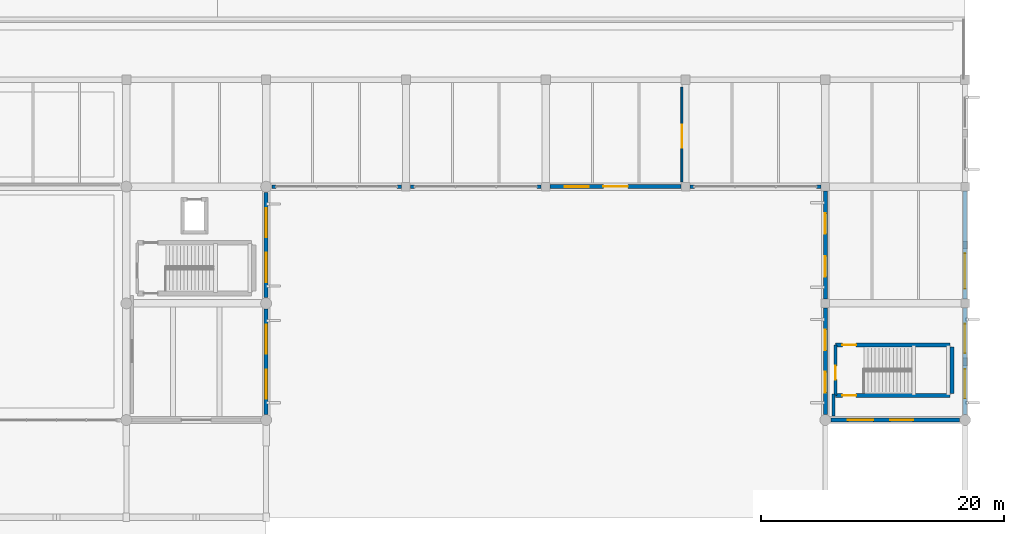
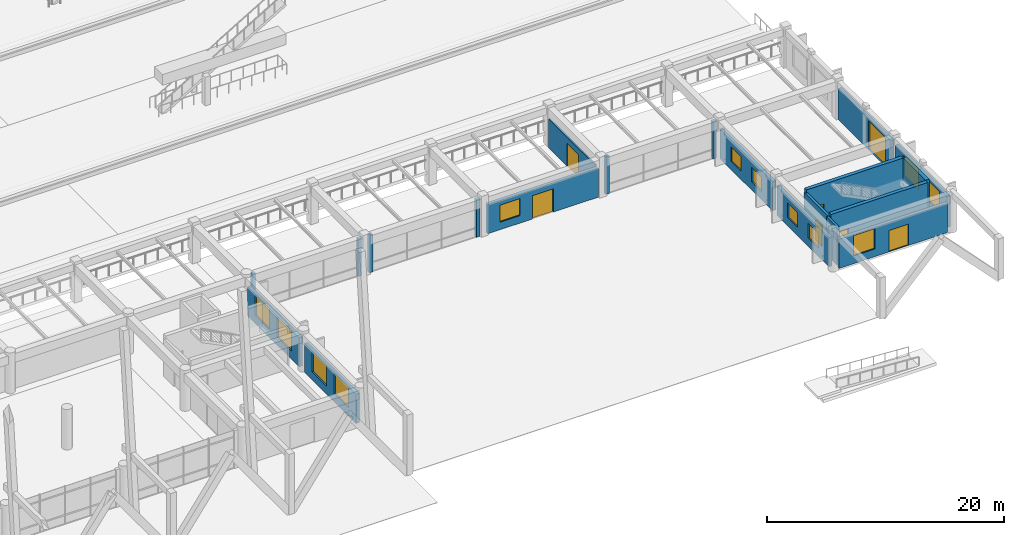
# One storey, part 88 of 109: 20 walls, 12 windows, 7 doors, 19 openings.
"""IFC4 building model written with IfcOpenShell, lengths in metres."""

import ifcopenshell
import ifcopenshell.guid

model = None  # the IFC model being written
_history = None  # IfcOwnerHistory: only IFC2X3 demands one
_inside = {}  # id of a spatial element -> (the spatial element, [elements in it])
_under = {}  # id of a project, library or spatial element -> (it, [spatial elements below it])
_declared = {}  # id of a project -> (the project, [libraries it declares])
_typed = {}  # id of a type object -> (the type object, [elements of that type])
_made_of = {}  # id of a material, layer set ... -> (it, [elements and type objects made of it])


def new_model(schema):
    """Start an empty IFC model of exactly this schema.

    Asked for "IFC4X3", IfcOpenShell would pick the latest addendum, in which some entities
    have other attributes; the version numbers below select the first issue.
    IFC2X3 requires an IfcOwnerHistory on every rooted entity: one is made here for all.
    """
    global model, _history
    if schema == "IFC4X3":
        model = ifcopenshell.file(schema_version=(4, 3, 0, 0))
    else:
        model = ifcopenshell.file(schema=schema)
    _inside.clear()
    _under.clear()
    _declared.clear()
    _typed.clear()
    _made_of.clear()
    _history = None
    if model.schema == "IFC2X3":
        org = make("IfcOrganization", Name="unknown")
        user = make(
            "IfcPersonAndOrganization",
            ThePerson=make("IfcPerson", FamilyName="unknown"),
            TheOrganization=org,
        )
        app = make(
            "IfcApplication",
            ApplicationDeveloper=org,
            Version="unknown",
            ApplicationFullName="unknown",
            ApplicationIdentifier="unknown",
        )
        _history = make(
            "IfcOwnerHistory",
            OwningUser=user,
            OwningApplication=app,
            ChangeAction="ADDED",
            CreationDate=0,
        )
    return model


def make(cls, **values):
    """One entity of the class cls with the attributes given. An attribute that is None is left unset."""
    return model.create_entity(
        cls, **{name: value for name, value in values.items() if value is not None}
    )


def rooted(cls, **values):
    """An entity with a GlobalId (a new one), such as an element, a storey or a relation."""
    return make(cls, GlobalId=ifcopenshell.guid.new(), OwnerHistory=_history, **values)


def si_unit(unit_type, name, prefix=None):
    """IfcSIUnit, for example si_unit("LENGTHUNIT", "METRE", prefix="MILLI")."""
    return make("IfcSIUnit", UnitType=unit_type, Prefix=prefix, Name=name)


def assignment(units):
    """IfcUnitAssignment: the units of a project."""
    return None if units is None else make("IfcUnitAssignment", Units=units)


def point(xyz):
    """IfcCartesianPoint."""
    return None if xyz is None else make("IfcCartesianPoint", Coordinates=xyz)


def direction(xyz):
    """IfcDirection."""
    return None if xyz is None else make("IfcDirection", DirectionRatios=xyz)


def frame(location, z_axis=None, x_axis=None):
    """IfcAxis2Placement3D, a coordinate frame: its origin and axes. An axis left out is left unset."""
    return make(
        "IfcAxis2Placement3D",
        Location=point(location),
        Axis=direction(z_axis),
        RefDirection=direction(x_axis),
    )


def frame_2d(location, x_axis=None):
    """IfcAxis2Placement2D, a coordinate frame in the plane: its origin and x axis."""
    return make(
        "IfcAxis2Placement2D", Location=point(location), RefDirection=direction(x_axis)
    )


def origin():
    """The frame at (0, 0, 0) with its axes left unset."""
    return frame((0.0, 0.0, 0.0))


def place(relative_to, where):
    """IfcLocalPlacement: puts the frame where relative to a parent placement (None: the world)."""
    return make(
        "IfcLocalPlacement", PlacementRelTo=relative_to, RelativePlacement=where
    )


def context(
    kind, dimensions, precision=None, world=None, true_north=None, identifier=None
):
    """IfcGeometricRepresentationContext, for example the 3D "Model" context."""
    return make(
        "IfcGeometricRepresentationContext",
        ContextIdentifier=identifier,
        ContextType=kind,
        CoordinateSpaceDimension=dimensions,
        Precision=precision,
        WorldCoordinateSystem=world,
        TrueNorth=true_north,
    )


def subcontext(parent, identifier, kind, view, scale=None):
    """IfcGeometricRepresentationSubContext, for example "Body" below "Model"."""
    return make(
        "IfcGeometricRepresentationSubContext",
        ContextIdentifier=identifier,
        ContextType=kind,
        ParentContext=parent,
        TargetScale=scale,
        TargetView=view,
    )


def project(units=None, contexts=None):
    """IfcProject with its units and contexts."""
    return rooted(
        "IfcProject",
        Name="project",
        RepresentationContexts=contexts,
        UnitsInContext=assignment(units),
    )


def spatial(cls, under=None, at=None, **own):
    """A site, building, storey or space (cls), placed at a placement, below another one or the project."""
    s = rooted(cls, ObjectPlacement=at, **own)
    if under is not None:
        _under.setdefault(under.id(), (under, []))[1].append(s)
    return s


def profile(cls, at=None, kind="AREA", **sizes):
    """A parametric profile (cls). Its sizes go by their IFC names, for example OverallWidth=200.0."""
    return make(cls, ProfileType=kind, Position=at, **sizes)


def rectangle(**sizes):
    """IfcRectangleProfileDef."""
    return profile("IfcRectangleProfileDef", **sizes)


def extrude(swept, where, along, depth):
    """IfcExtrudedAreaSolid: the profile swept, set in the frame where, extruded along a direction by depth."""
    return make(
        "IfcExtrudedAreaSolid",
        SweptArea=swept,
        Position=where,
        ExtrudedDirection=direction(along),
        Depth=depth,
    )


def shape(context_of_items, identifier, shape_type, items):
    """IfcShapeRepresentation: the items that make up one representation, for example the "Body"."""
    return make(
        "IfcShapeRepresentation",
        ContextOfItems=context_of_items,
        RepresentationIdentifier=identifier,
        RepresentationType=shape_type,
        Items=items,
    )


def material(Name=None, Category=None):
    """IfcMaterial."""
    return make("IfcMaterial", Name=Name, Category=Category)


def layer(
    of_material, thickness, ventilated=None, Name=None, Category=None, Priority=None
):
    """IfcMaterialLayer: one layer of a wall or slab, of a material (None: an air gap)."""
    return make(
        "IfcMaterialLayer",
        Material=of_material,
        LayerThickness=thickness,
        IsVentilated=ventilated,
        Name=Name,
        Category=Category,
        Priority=Priority,
    )


def layer_set(layers, Name=None):
    """IfcMaterialLayerSet."""
    return make("IfcMaterialLayerSet", MaterialLayers=layers, LayerSetName=Name)


def made_of(thing, what):
    """Note that an element or type object is made of a material, layer set ...; save() writes the relation."""
    if what is not None:
        _made_of.setdefault(what.id(), (what, []))[1].append(thing)
    return thing


def type_object(cls, material=None, **own):
    """A type object (cls), such as IfcWallType, which elements share."""
    return made_of(rooted(cls, **own), material)


def element(
    cls,
    number,
    at=None,
    inside=None,
    cuts=None,
    type_object=None,
    material=None,
    context=None,
    identifier="Body",
    shape_type=None,
    held_by="IfcProductDefinitionShape",
    body=None,
    shapes=None,
    **own,
):
    """One element of the class cls, such as IfcWall. Its Tag is "e" and its number.

    at: its placement. inside: the storey or other place that contains it. cuts: it is an
    opening in that element (IfcRelVoidsElement). A single representation is given by context,
    identifier, shape_type and body (its items); several are given by shapes. held_by: the class
    of the entity that holds the representations. save() writes the other relations.
    """
    e = rooted(cls, Tag="e%d" % number, ObjectPlacement=at, **own)
    if body is not None:
        shapes = [shape(context, identifier, shape_type, body)]
    if shapes is not None:
        e.Representation = make(held_by, Representations=shapes)
    if inside is not None:
        _inside.setdefault(inside.id(), (inside, []))[1].append(e)
    if cuts is not None:
        rooted(
            "IfcRelVoidsElement", RelatingBuildingElement=cuts, RelatedOpeningElement=e
        )
    if type_object is not None:
        _typed.setdefault(type_object.id(), (type_object, []))[1].append(e)
    return made_of(e, material)


def fill(opening, filler):
    """IfcRelFillsElement: the door or window that sits in an opening."""
    return rooted(
        "IfcRelFillsElement",
        RelatingOpeningElement=opening,
        RelatedBuildingElement=filler,
    )


def aggregate(whole, parts):
    """IfcRelAggregates: a whole, such as a stair, and the parts it consists of."""
    return rooted("IfcRelAggregates", RelatingObject=whole, RelatedObjects=parts)


def save(model, path):
    """Write the relations noted so far, then the file.

    IfcRelAggregates (storeys below a building ...), IfcRelContainedInSpatialStructure (elements
    in a storey), IfcRelDefinesByType, IfcRelAssociatesMaterial and IfcRelDeclares: one each for
    every whole, place, type object, material and project.
    """
    for whole, parts in _under.values():
        aggregate(whole, parts)
    for where, things in _inside.values():
        rooted(
            "IfcRelContainedInSpatialStructure",
            RelatedElements=things,
            RelatingStructure=where,
        )
    for kind, things in _typed.values():
        rooted("IfcRelDefinesByType", RelatedObjects=things, RelatingType=kind)
    for what, things in _made_of.values():
        rooted("IfcRelAssociatesMaterial", RelatedObjects=things, RelatingMaterial=what)
    for by, libraries in _declared.values():
        rooted("IfcRelDeclares", RelatingContext=by, RelatedDefinitions=libraries)
    model.write(path)


model = new_model("IFC4")

# Units and contexts
model_context = context("Model", 3, precision=1e-05, world=origin(), true_north=direction((0.0, 1.0)))
body_context = subcontext(model_context, "Body", "Model", "MODEL_VIEW")
ifc_project = project(units=[si_unit("LENGTHUNIT", "METRE"), si_unit("AREAUNIT", "SQUARE_METRE"), si_unit("VOLUMEUNIT", "CUBIC_METRE"), si_unit("PLANEANGLEUNIT", "RADIAN"), si_unit("MASSUNIT", "GRAM", prefix="KILO")], contexts=[model_context])

# Site, building, storey
site_placement = place(None, origin())
site = spatial("IfcSite", under=ifc_project, at=site_placement, CompositionType="ELEMENT")
building_placement = place(site_placement, origin())
building = spatial("IfcBuilding", under=site, at=building_placement, Name="Ologun Quay Terminus", CompositionType="ELEMENT")
storey_placement = place(building_placement, origin())
storey = spatial("IfcBuildingStorey", under=building, at=storey_placement, Name="L00", CompositionType="ELEMENT", Elevation=0.0)

# Walls
ifc_material_1 = material(Name="Concrete C40/50", Category="concrete")
ifc_layer_1 = layer(ifc_material_1, 0.280029296875)
ifc_layer_set_1 = layer_set([ifc_layer_1], Name="Concrete C40/50")
wall_type_1 = type_object("IfcWallType", Name="Courtyard Wing Spandrel Concrete Wall 280", PredefinedType="SOLIDWALL", material=ifc_layer_set_1)
wall_1_placement = place(storey_placement, frame((126.969970703125, 27.199951171875, 0.0), z_axis=(0.0, 0.0, 1.0), x_axis=(1.0, 0.0, 0.0)))
element("IfcWall", 1, at=wall_1_placement, inside=storey, type_object=wall_type_1, Name="Curtain Wall Jamb Pier CW-L00-007-J1", PredefinedType="SOLIDWALL", context=body_context, shape_type="SweptSolid", body=[
    extrude(rectangle(XDim=0.35009765625, YDim=0.280029296875, at=frame_2d((0.175048828125, 0.0))), origin(), (0.0, 0.0, 1.0), 3.8798828125),
])
for number, where, z_axis, x_axis, name in (
    (2, (137.280029296875, 27.199951171875, 0.0), (0.0, 0.0, 1.0), (1.0, 0.0, 0.0), "Curtain Wall Jamb Pier CW-L00-007-J2"),
    (3, (138.3701171875, 27.199951171875, 0.0), (0.0, 0.0, 1.0), (1.0, 0.0, 0.0), "Curtain Wall Jamb Pier CW-L00-008-J1"),
    (4, (148.780029296875, 27.199951171875, 0.0), (0.0, 0.0, 1.0), (1.0, 0.0, 0.0), "Curtain Wall Jamb Pier CW-L00-008-J2"),
    (5, (161.3701171875, 27.199951171875, 0.0), (0.0, 0.0, 1.0), (1.0, 0.0, 0.0), "Curtain Wall Jamb Pier CW-L00-009-J1"),
    (6, (171.780029296875, 27.199951171875, 0.0), (0.0, 0.0, 1.0), (1.0, 0.0, 0.0), "Curtain Wall Jamb Pier CW-L00-009-J2"),
):
    element("IfcWall", number, at=place(storey_placement, frame(where, z_axis=z_axis, x_axis=x_axis)), inside=storey, type_object=wall_type_1, Name=name, PredefinedType="SOLIDWALL", context=body_context, shape_type="SweptSolid", body=[
        extrude(rectangle(XDim=0.349853515625, YDim=0.280029296875, at=frame_2d((0.1748046875, 0.0))), origin(), (0.0, 0.0, 1.0), 3.8798828125),
    ])

# Wall, opening, door
ifc_material_2 = material(Name="Concrete C40/50", Category="concrete")
ifc_layer_2 = layer(ifc_material_2, 0.239990234375)
ifc_layer_set_2 = layer_set([ifc_layer_2], Name="Concrete C40/50")
wall_type_2 = type_object("IfcWallType", Name="Fire Compartment Blockwork Wall 240", PredefinedType="SOLIDWALL", material=ifc_layer_set_2)
wall_2_placement = place(storey_placement, frame((173.35009765625, 10.02001953125, 0.0), z_axis=(0.0, 0.0, 1.0), x_axis=(0.0, 1.0, 0.0)))
wall_2 = element("IfcWall", 7, at=wall_2_placement, inside=storey, type_object=wall_type_2, Name="PW-01 Partition ST-S2-W", PredefinedType="SOLIDWALL", context=body_context, shape_type="SweptSolid", body=[
    extrude(rectangle(XDim=4.159912109375, YDim=0.239990234375, at=frame_2d((2.080078125, 0.0))), origin(), (0.0, 0.0, 1.0), 3.8798828125),
])
opening_1_placement = place(wall_2_placement, frame((1.300048828125, 0.0, 0.0)))
opening_1 = element("IfcOpeningElement", 8, at=opening_1_placement, cuts=wall_2, Name="Opening ID-241", PredefinedType="OPENING", context=body_context, shape_type="SweptSolid", body=[
    extrude(rectangle(XDim=1.1298828125, YDim=2.14990234375, at=frame_2d((0.56494140625, 1.074951171875))), frame((0.0, 0.1298828125, 0.0), z_axis=(0.0, -1.0, 0.0), x_axis=(1.0, 0.0, 0.0)), (0.0, 0.0, 1.0), 0.260009765625),
])
ifc_material_3 = material(Name="Steel S355", Category="steel")
door_type_1 = type_object("IfcDoorType", Name="Stairwell Fire Escape Door 1130x2150", OperationType="SINGLE_SWING_LEFT", PredefinedType="DOOR", material=ifc_material_3)
door_1_placement = place(opening_1_placement, origin())
door_1 = element("IfcDoor", 9, at=door_1_placement, inside=storey, type_object=door_type_1, Name="FD-01 Door ID-241", OperationType="SINGLE_SWING_LEFT", OverallHeight=2.14990234375, OverallWidth=1.1298828125, PredefinedType="DOOR", context=body_context, shape_type="SweptSolid", body=[
    extrude(rectangle(XDim=1.1298828125, YDim=2.14990234375, at=frame_2d((0.56494140625, 1.074951171875))), frame((0.0, 0.02490234375, 0.0), z_axis=(0.0, -1.0, 0.0), x_axis=(1.0, 0.0, 0.0)), (0.0, 0.0, 1.0), 0.050048828125),
])
fill(opening_1, door_1)

# Wall
wall_3_placement = place(storey_placement, frame((173.175048828125, 8.35009765625, 0.0), z_axis=(0.0, 0.0, 1.0), x_axis=(0.0, 1.0, 0.0)))
element("IfcWall", 10, at=wall_3_placement, inside=storey, type_object=wall_type_2, Name="PW-01 Partition L00-EXPS2-W", PredefinedType="SOLIDWALL", context=body_context, shape_type="SweptSolid", body=[
    extrude(rectangle(XDim=1.7998046875, YDim=0.239990234375, at=frame_2d((0.89990234375, 0.0))), origin(), (0.0, 0.0, 1.0), 3.8798828125),
])

# Wall, openings, windows
ifc_material_4 = material(Name="Concrete C40/50", Category="concrete")
ifc_layer_3 = layer(ifc_material_4, 0.320068359375)
ifc_layer_set_3 = layer_set([ifc_layer_3], Name="Concrete C40/50")
wall_type_3 = type_object("IfcWallType", Name="Podium Sculpted Concrete Facade Wall 320", PredefinedType="SOLIDWALL", material=ifc_layer_set_3)
wall_4_placement = place(storey_placement, frame((126.5, 8.469970703125, 0.0), z_axis=(0.0, 0.0, 1.0), x_axis=(0.0, 1.0, 0.0)))
wall_4 = element("IfcWall", 11, at=wall_4_placement, inside=storey, type_object=wall_type_3, Name="EW-01 Facade Wall WEW-SA-L00-2-7", PredefinedType="SOLIDWALL", context=body_context, shape_type="SweptSolid", body=[
    extrude(rectangle(XDim=8.659912109375, YDim=0.320068359375, at=frame_2d((4.330078125, 0.0))), origin(), (0.0, 0.0, 1.0), 3.0),
])
opening_2_placement = place(wall_4_placement, frame((1.28662109375, 0.0, 0.840087890625)))
opening_2 = element("IfcOpeningElement", 12, at=opening_2_placement, cuts=wall_4, Name="Opening WN-011", PredefinedType="OPENING", context=body_context, shape_type="SweptSolid", body=[
    extrude(rectangle(XDim=2.39990234375, YDim=2.10009765625, at=frame_2d((1.199951171875, 1.050048828125))), frame((0.0, 0.169921875, 0.0), z_axis=(0.0, -1.0, 0.0), x_axis=(1.0, 0.0, 0.0)), (0.0, 0.0, 1.0), 0.340087890625),
])
opening_3_placement = place(wall_4_placement, frame((4.973388671875, 0.0, 0.840087890625)))
opening_3 = element("IfcOpeningElement", 13, at=opening_3_placement, cuts=wall_4, Name="Opening WN-012", PredefinedType="OPENING", context=body_context, shape_type="SweptSolid", body=[
    extrude(rectangle(XDim=2.39990234375, YDim=2.10009765625, at=frame_2d((1.199951171875, 1.050048828125))), frame((0.0, 0.169921875, 0.0), z_axis=(0.0, -1.0, 0.0), x_axis=(1.0, 0.0, 0.0)), (0.0, 0.0, 1.0), 0.340087890625),
])
ifc_material_5 = material(Name="Glass", Category="glass")
window_type_1 = type_object("IfcWindowType", Name="Retail Display Window 2400x2100", PartitioningType="SINGLE_PANEL", PredefinedType="WINDOW", material=ifc_material_5)
window_1_placement = place(opening_2_placement, origin())
window_1 = element("IfcWindow", 14, at=window_1_placement, inside=storey, type_object=window_type_1, Name="W-01 Window WN-011", OverallHeight=2.10009765625, OverallWidth=2.39990234375, PartitioningType="SINGLE_PANEL", PredefinedType="WINDOW", context=body_context, shape_type="SweptSolid", body=[
    extrude(rectangle(XDim=2.39990234375, YDim=2.10009765625, at=frame_2d((1.199951171875, 1.050048828125))), frame((0.0, 0.030029296875, 0.0), z_axis=(0.0, -1.0, 0.0), x_axis=(1.0, 0.0, 0.0)), (0.0, 0.0, 1.0), 0.06005859375),
])
fill(opening_2, window_1)
window_2_placement = place(opening_3_placement, origin())
window_2 = element("IfcWindow", 15, at=window_2_placement, inside=storey, type_object=window_type_1, Name="W-01 Window WN-012", OverallHeight=2.10009765625, OverallWidth=2.39990234375, PartitioningType="SINGLE_PANEL", PredefinedType="WINDOW", context=body_context, shape_type="SweptSolid", body=[
    extrude(rectangle(XDim=2.39990234375, YDim=2.10009765625, at=frame_2d((1.199951171875, 1.050048828125))), frame((0.0, 0.030029296875, 0.0), z_axis=(0.0, -1.0, 0.0), x_axis=(1.0, 0.0, 0.0)), (0.0, 0.0, 1.0), 0.06005859375),
])
fill(opening_3, window_2)

wall_5_placement = place(storey_placement, frame((126.5, 18.070068359375, 0.0), z_axis=(0.0, 0.0, 1.0), x_axis=(0.0, 1.0, 0.0)))
wall_5 = element("IfcWall", 16, at=wall_5_placement, inside=storey, type_object=wall_type_3, Name="EW-01 Facade Wall WEW-SA-L00-2-8", PredefinedType="SOLIDWALL", context=body_context, shape_type="SweptSolid", body=[
    extrude(rectangle(XDim=8.659912109375, YDim=0.320068359375, at=frame_2d((4.330078125, 0.0))), origin(), (0.0, 0.0, 1.0), 3.0),
])
opening_4_placement = place(wall_5_placement, frame((1.28662109375, 0.0, 0.840087890625)))
opening_4 = element("IfcOpeningElement", 17, at=opening_4_placement, cuts=wall_5, Name="Opening WN-013", PredefinedType="OPENING", context=body_context, shape_type="SweptSolid", body=[
    extrude(rectangle(XDim=2.39990234375, YDim=2.10009765625, at=frame_2d((1.199951171875, 1.050048828125))), frame((0.0, 0.169921875, 0.0), z_axis=(0.0, -1.0, 0.0), x_axis=(1.0, 0.0, 0.0)), (0.0, 0.0, 1.0), 0.340087890625),
])
opening_5_placement = place(wall_5_placement, frame((4.973388671875, 0.0, 0.840087890625)))
opening_5 = element("IfcOpeningElement", 18, at=opening_5_placement, cuts=wall_5, Name="Opening WN-014", PredefinedType="OPENING", context=body_context, shape_type="SweptSolid", body=[
    extrude(rectangle(XDim=2.39990234375, YDim=2.10009765625, at=frame_2d((1.199951171875, 1.050048828125))), frame((0.0, 0.169921875, 0.0), z_axis=(0.0, -1.0, 0.0), x_axis=(1.0, 0.0, 0.0)), (0.0, 0.0, 1.0), 0.340087890625),
])
window_3_placement = place(opening_4_placement, origin())
window_3 = element("IfcWindow", 19, at=window_3_placement, inside=storey, type_object=window_type_1, Name="W-01 Window WN-013", OverallHeight=2.10009765625, OverallWidth=2.39990234375, PartitioningType="SINGLE_PANEL", PredefinedType="WINDOW", context=body_context, shape_type="SweptSolid", body=[
    extrude(rectangle(XDim=2.39990234375, YDim=2.10009765625, at=frame_2d((1.199951171875, 1.050048828125))), frame((0.0, 0.030029296875, 0.0), z_axis=(0.0, -1.0, 0.0), x_axis=(1.0, 0.0, 0.0)), (0.0, 0.0, 1.0), 0.06005859375),
])
fill(opening_4, window_3)
window_4_placement = place(opening_5_placement, origin())
window_4 = element("IfcWindow", 20, at=window_4_placement, inside=storey, type_object=window_type_1, Name="W-01 Window WN-014", OverallHeight=2.10009765625, OverallWidth=2.39990234375, PartitioningType="SINGLE_PANEL", PredefinedType="WINDOW", context=body_context, shape_type="SweptSolid", body=[
    extrude(rectangle(XDim=2.39990234375, YDim=2.10009765625, at=frame_2d((1.199951171875, 1.050048828125))), frame((0.0, 0.030029296875, 0.0), z_axis=(0.0, -1.0, 0.0), x_axis=(1.0, 0.0, 0.0)), (0.0, 0.0, 1.0), 0.06005859375),
])
fill(opening_5, window_4)

# Wall, openings, window, door
wall_6_placement = place(storey_placement, frame((149.8701171875, 27.199951171875, 0.0), z_axis=(0.0, 0.0, 1.0), x_axis=(1.0, 0.0, 0.0)))
wall_6 = element("IfcWall", 21, at=wall_6_placement, inside=storey, type_object=wall_type_3, Name="EW-01 Facade Wall WEW-FC-L00-3-3", PredefinedType="SOLIDWALL", context=body_context, shape_type="SweptSolid", body=[
    extrude(rectangle(XDim=10.759765625, YDim=0.320068359375, at=frame_2d((5.3798828125, 0.0))), origin(), (0.0, 0.0, 1.0), 3.0),
])
opening_6_placement = place(wall_6_placement, frame((4.3798828125, 0.0, 0.0)))
opening_6 = element("IfcOpeningElement", 22, at=opening_6_placement, cuts=wall_6, Name="Opening ED-007", PredefinedType="OPENING", context=body_context, shape_type="SweptSolid", body=[
    extrude(rectangle(XDim=2.0, YDim=2.39990234375, at=frame_2d((1.0, 1.199951171875))), frame((0.0, 0.169921875, 0.0), z_axis=(0.0, -1.0, 0.0), x_axis=(1.0, 0.0, 0.0)), (0.0, 0.0, 1.0), 0.340087890625),
])
opening_7_placement = place(wall_6_placement, frame((1.215087890625, 0.0, 0.780029296875)))
opening_7 = element("IfcOpeningElement", 23, at=opening_7_placement, cuts=wall_6, Name="Opening WN-019", PredefinedType="OPENING", context=body_context, shape_type="SweptSolid", body=[
    extrude(rectangle(XDim=1.949951171875, YDim=1.75, at=frame_2d((0.97509765625, 0.875))), frame((0.0, 0.169921875, 0.0), z_axis=(0.0, -1.0, 0.0), x_axis=(1.0, 0.0, 0.0)), (0.0, 0.0, 1.0), 0.340087890625),
])
ifc_material_6 = material(Name="Glass", Category="glass")
window_type_2 = type_object("IfcWindowType", Name="Family Suite Daylight Window 1950x1750", PartitioningType="SINGLE_PANEL", PredefinedType="WINDOW", material=ifc_material_6)
window_5_placement = place(opening_7_placement, origin())
window_5 = element("IfcWindow", 24, at=window_5_placement, inside=storey, type_object=window_type_2, Name="W-35 Window WN-019", OverallHeight=1.75, OverallWidth=1.949951171875, PartitioningType="SINGLE_PANEL", PredefinedType="WINDOW", context=body_context, shape_type="SweptSolid", body=[
    extrude(rectangle(XDim=1.949951171875, YDim=1.75, at=frame_2d((0.97509765625, 0.875))), frame((0.0, 0.030029296875, 0.0), z_axis=(0.0, -1.0, 0.0), x_axis=(1.0, 0.0, 0.0)), (0.0, 0.0, 1.0), 0.06005859375),
])
fill(opening_7, window_5)
ifc_material_7 = material(Name="Glass", Category="glass")
door_type_2 = type_object("IfcDoorType", Name="Promenade Retail Entrance Double Door 2000x2400", OperationType="DOUBLE_DOOR_SINGLE_SWING", PredefinedType="DOOR", material=ifc_material_7)
door_2_placement = place(opening_6_placement, frame((1.0, 0.0, 0.0), z_axis=(0.0, 0.0, 1.0), x_axis=(-1.0, 0.0, 0.0)))
door_2 = element("IfcDoor", 25, at=door_2_placement, inside=storey, type_object=door_type_2, Name="D-02 Exterior Door ED-007", OperationType="DOUBLE_DOOR_SINGLE_SWING", OverallHeight=2.39990234375, OverallWidth=2.0, PredefinedType="DOOR", context=body_context, shape_type="SweptSolid", body=[
    extrude(rectangle(XDim=2.0, YDim=2.39990234375, at=frame_2d((0.0, 1.199951171875))), frame((0.0, 0.02490234375, 0.0), z_axis=(0.0, -1.0, 0.0), x_axis=(1.0, 0.0, 0.0)), (0.0, 0.0, 1.0), 0.050048828125),
])
fill(opening_6, door_2)

# Wall, openings, windows
wall_7_placement = place(storey_placement, frame((172.5, 8.469970703125, 0.0), z_axis=(0.0, 0.0, 1.0), x_axis=(0.0, 1.0, 0.0)))
wall_7 = element("IfcWall", 26, at=wall_7_placement, inside=storey, type_object=wall_type_3, Name="EW-01 Facade Wall WEW-SA-L00-3-5", PredefinedType="SOLIDWALL", context=body_context, shape_type="SweptSolid", body=[
    extrude(rectangle(XDim=8.760009765625, YDim=0.320068359375, at=frame_2d((4.3798828125, 0.0))), origin(), (0.0, 0.0, 1.0), 3.0),
])
opening_8_placement = place(wall_7_placement, frame((1.78662109375, 0.0, 0.85009765625)))
opening_8 = element("IfcOpeningElement", 27, at=opening_8_placement, cuts=wall_7, Name="Opening WN-020", PredefinedType="OPENING", context=body_context, shape_type="SweptSolid", body=[
    extrude(rectangle(XDim=1.699951171875, YDim=1.5, at=frame_2d((0.85009765625, 0.75))), frame((0.0, 0.169921875, 0.0), z_axis=(0.0, -1.0, 0.0), x_axis=(1.0, 0.0, 0.0)), (0.0, 0.0, 1.0), 0.340087890625),
])
opening_9_placement = place(wall_7_placement, frame((5.273193359375, 0.0, 0.85009765625)))
opening_9 = element("IfcOpeningElement", 28, at=opening_9_placement, cuts=wall_7, Name="Opening WN-021", PredefinedType="OPENING", context=body_context, shape_type="SweptSolid", body=[
    extrude(rectangle(XDim=1.699951171875, YDim=1.5, at=frame_2d((0.85009765625, 0.75))), frame((0.0, 0.169921875, 0.0), z_axis=(0.0, -1.0, 0.0), x_axis=(1.0, 0.0, 0.0)), (0.0, 0.0, 1.0), 0.340087890625),
])
ifc_material_8 = material(Name="Glass", Category="glass")
window_type_3 = type_object("IfcWindowType", Name="Left Luggage Service Window 1700x1500", PartitioningType="SINGLE_PANEL", PredefinedType="WINDOW", material=ifc_material_8)
window_6_placement = place(opening_8_placement, origin())
window_6 = element("IfcWindow", 29, at=window_6_placement, inside=storey, type_object=window_type_3, Name="W-34 Window WN-020", OverallHeight=1.5, OverallWidth=1.699951171875, PartitioningType="SINGLE_PANEL", PredefinedType="WINDOW", context=body_context, shape_type="SweptSolid", body=[
    extrude(rectangle(XDim=1.699951171875, YDim=1.5, at=frame_2d((0.85009765625, 0.75))), frame((0.0, 0.030029296875, 0.0), z_axis=(0.0, -1.0, 0.0), x_axis=(1.0, 0.0, 0.0)), (0.0, 0.0, 1.0), 0.06005859375),
])
fill(opening_8, window_6)
window_7_placement = place(opening_9_placement, origin())
window_7 = element("IfcWindow", 30, at=window_7_placement, inside=storey, type_object=window_type_3, Name="W-34 Window WN-021", OverallHeight=1.5, OverallWidth=1.699951171875, PartitioningType="SINGLE_PANEL", PredefinedType="WINDOW", context=body_context, shape_type="SweptSolid", body=[
    extrude(rectangle(XDim=1.699951171875, YDim=1.5, at=frame_2d((0.85009765625, 0.75))), frame((0.0, 0.030029296875, 0.0), z_axis=(0.0, -1.0, 0.0), x_axis=(1.0, 0.0, 0.0)), (0.0, 0.0, 1.0), 0.06005859375),
])
fill(opening_9, window_7)

wall_8_placement = place(storey_placement, frame((172.5, 17.969970703125, 0.0), z_axis=(0.0, 0.0, 1.0), x_axis=(0.0, 1.0, 0.0)))
wall_8 = element("IfcWall", 31, at=wall_8_placement, inside=storey, type_object=wall_type_3, Name="EW-01 Facade Wall WEW-SA-L00-3-6", PredefinedType="SOLIDWALL", context=body_context, shape_type="SweptSolid", body=[
    extrude(rectangle(XDim=8.860107421875, YDim=0.320068359375, at=frame_2d((4.43017578125, 0.0))), origin(), (0.0, 0.0, 1.0), 3.0),
])
opening_10_placement = place(wall_8_placement, frame((1.820068359375, 0.0, 0.85009765625)))
opening_10 = element("IfcOpeningElement", 32, at=opening_10_placement, cuts=wall_8, Name="Opening WN-022", PredefinedType="OPENING", context=body_context, shape_type="SweptSolid", body=[
    extrude(rectangle(XDim=1.699951171875, YDim=1.5, at=frame_2d((0.85009765625, 0.75))), frame((0.0, 0.169921875, 0.0), z_axis=(0.0, -1.0, 0.0), x_axis=(1.0, 0.0, 0.0)), (0.0, 0.0, 1.0), 0.340087890625),
])
opening_11_placement = place(wall_8_placement, frame((5.340087890625, 0.0, 0.85009765625)))
opening_11 = element("IfcOpeningElement", 33, at=opening_11_placement, cuts=wall_8, Name="Opening WN-023", PredefinedType="OPENING", context=body_context, shape_type="SweptSolid", body=[
    extrude(rectangle(XDim=1.699951171875, YDim=1.5, at=frame_2d((0.85009765625, 0.75))), frame((0.0, 0.169921875, 0.0), z_axis=(0.0, -1.0, 0.0), x_axis=(1.0, 0.0, 0.0)), (0.0, 0.0, 1.0), 0.340087890625),
])
window_8_placement = place(opening_10_placement, origin())
window_8 = element("IfcWindow", 34, at=window_8_placement, inside=storey, type_object=window_type_3, Name="W-34 Window WN-022", OverallHeight=1.5, OverallWidth=1.699951171875, PartitioningType="SINGLE_PANEL", PredefinedType="WINDOW", context=body_context, shape_type="SweptSolid", body=[
    extrude(rectangle(XDim=1.699951171875, YDim=1.5, at=frame_2d((0.85009765625, 0.75))), frame((0.0, 0.030029296875, 0.0), z_axis=(0.0, -1.0, 0.0), x_axis=(1.0, 0.0, 0.0)), (0.0, 0.0, 1.0), 0.06005859375),
])
fill(opening_10, window_8)
window_9_placement = place(opening_11_placement, origin())
window_9 = element("IfcWindow", 35, at=window_9_placement, inside=storey, type_object=window_type_3, Name="W-34 Window WN-023", OverallHeight=1.5, OverallWidth=1.699951171875, PartitioningType="SINGLE_PANEL", PredefinedType="WINDOW", context=body_context, shape_type="SweptSolid", body=[
    extrude(rectangle(XDim=1.699951171875, YDim=1.5, at=frame_2d((0.85009765625, 0.75))), frame((0.0, 0.030029296875, 0.0), z_axis=(0.0, -1.0, 0.0), x_axis=(1.0, 0.0, 0.0)), (0.0, 0.0, 1.0), 0.06005859375),
])
fill(opening_11, window_9)

# Wall, openings, window, door
wall_9_placement = place(storey_placement, frame((172.969970703125, 8.0, 0.0), z_axis=(0.0, 0.0, 1.0), x_axis=(1.0, 0.0, 0.0)))
wall_9 = element("IfcWall", 36, at=wall_9_placement, inside=storey, type_object=wall_type_3, Name="EW-01 Facade Wall WEW-SA-L00-3-7", PredefinedType="SOLIDWALL", context=body_context, shape_type="SweptSolid", body=[
    extrude(rectangle(XDim=10.56005859375, YDim=0.320068359375, at=frame_2d((5.280029296875, 0.0))), origin(), (0.0, 0.0, 1.0), 3.0),
])
opening_12_placement = place(wall_9_placement, frame((4.85791015625, 0.0, 0.0)))
opening_12 = element("IfcOpeningElement", 37, at=opening_12_placement, cuts=wall_9, Name="Opening ED-008", PredefinedType="OPENING", context=body_context, shape_type="SweptSolid", body=[
    extrude(rectangle(XDim=1.89990234375, YDim=2.199951171875, at=frame_2d((0.949951171875, 1.10009765625))), frame((0.0, 0.169921875, 0.0), z_axis=(0.0, -1.0, 0.0), x_axis=(1.0, 0.0, 0.0)), (0.0, 0.0, 1.0), 0.340087890625),
])
opening_13_placement = place(wall_9_placement, frame((1.37890625, 0.0, 0.780029296875)))
opening_13 = element("IfcOpeningElement", 38, at=opening_13_placement, cuts=wall_9, Name="Opening WN-024", PredefinedType="OPENING", context=body_context, shape_type="SweptSolid", body=[
    extrude(rectangle(XDim=2.10009765625, YDim=2.10009765625, at=frame_2d((1.050048828125, 1.050048828125))), frame((0.0, 0.169921875, 0.0), z_axis=(0.0, -1.0, 0.0), x_axis=(1.0, 0.0, 0.0)), (0.0, 0.0, 1.0), 0.340087890625),
])
ifc_material_9 = material(Name="Glass", Category="glass")
window_type_4 = type_object("IfcWindowType", Name="Retail Corner Window 2100x2100", PartitioningType="SINGLE_PANEL", PredefinedType="WINDOW", material=ifc_material_9)
window_10_placement = place(opening_13_placement, origin())
window_10 = element("IfcWindow", 39, at=window_10_placement, inside=storey, type_object=window_type_4, Name="W-02 Window WN-024", OverallHeight=2.10009765625, OverallWidth=2.10009765625, PartitioningType="SINGLE_PANEL", PredefinedType="WINDOW", context=body_context, shape_type="SweptSolid", body=[
    extrude(rectangle(XDim=2.10009765625, YDim=2.10009765625, at=frame_2d((1.050048828125, 1.050048828125))), frame((0.0, 0.030029296875, 0.0), z_axis=(0.0, -1.0, 0.0), x_axis=(1.0, 0.0, 0.0)), (0.0, 0.0, 1.0), 0.06005859375),
])
fill(opening_13, window_10)
ifc_material_10 = material(Name="Steel S355", Category="steel")
door_type_3 = type_object("IfcDoorType", Name="Station Perimeter Final Exit Pair 1900x2200", OperationType="DOUBLE_DOOR_SINGLE_SWING", PredefinedType="DOOR", material=ifc_material_10)
door_3_placement = place(opening_12_placement, frame((0.949951171875, 0.0, 0.0), z_axis=(0.0, 0.0, 1.0), x_axis=(-1.0, 0.0, 0.0)))
door_3 = element("IfcDoor", 40, at=door_3_placement, inside=storey, type_object=door_type_3, Name="D-04 Exterior Door ED-008", OperationType="DOUBLE_DOOR_SINGLE_SWING", OverallHeight=2.199951171875, OverallWidth=1.89990234375, PredefinedType="DOOR", context=body_context, shape_type="SweptSolid", body=[
    extrude(rectangle(XDim=1.89990234375, YDim=2.199951171875, at=frame_2d((0.0, 1.10009765625))), frame((0.0, 0.02490234375, 0.0), z_axis=(0.0, -1.0, 0.0), x_axis=(1.0, 0.0, 0.0)), (0.0, 0.0, 1.0), 0.050048828125),
])
fill(opening_12, door_3)

# Wall, openings, windows
wall_10_placement = place(storey_placement, frame((184.0, 8.469970703125, 0.0), z_axis=(0.0, 0.0, 1.0), x_axis=(0.0, 1.0, 0.0)))
wall_10 = element("IfcWall", 41, at=wall_10_placement, inside=storey, type_object=wall_type_3, Name="EW-01 Facade Wall WEW-SA-L00-3-8", PredefinedType="SOLIDWALL", context=body_context, shape_type="SweptSolid", body=[
    extrude(rectangle(XDim=8.760009765625, YDim=0.320068359375, at=frame_2d((4.3798828125, 0.0))), origin(), (0.0, 0.0, 1.0), 3.199951171875),
])
opening_14_placement = place(wall_10_placement, frame((1.320068359375, 0.0, 0.840087890625)))
opening_14 = element("IfcOpeningElement", 42, at=opening_14_placement, cuts=wall_10, Name="Opening WN-025", PredefinedType="OPENING", context=body_context, shape_type="SweptSolid", body=[
    extrude(rectangle(XDim=2.39990234375, YDim=2.10009765625, at=frame_2d((1.199951171875, 1.050048828125))), frame((0.0, 0.169921875, 0.0), z_axis=(0.0, -1.0, 0.0), x_axis=(1.0, 0.0, 0.0)), (0.0, 0.0, 1.0), 0.340087890625),
])
opening_15_placement = place(wall_10_placement, frame((5.0400390625, 0.0, 0.840087890625)))
opening_15 = element("IfcOpeningElement", 43, at=opening_15_placement, cuts=wall_10, Name="Opening WN-026", PredefinedType="OPENING", context=body_context, shape_type="SweptSolid", body=[
    extrude(rectangle(XDim=2.39990234375, YDim=2.10009765625, at=frame_2d((1.199951171875, 1.050048828125))), frame((0.0, 0.169921875, 0.0), z_axis=(0.0, -1.0, 0.0), x_axis=(1.0, 0.0, 0.0)), (0.0, 0.0, 1.0), 0.340087890625),
])
window_11_placement = place(opening_14_placement, origin())
window_11 = element("IfcWindow", 44, at=window_11_placement, inside=storey, type_object=window_type_1, Name="W-01 Window WN-025", OverallHeight=2.10009765625, OverallWidth=2.39990234375, PartitioningType="SINGLE_PANEL", PredefinedType="WINDOW", context=body_context, shape_type="SweptSolid", body=[
    extrude(rectangle(XDim=2.39990234375, YDim=2.10009765625, at=frame_2d((1.199951171875, 1.050048828125))), frame((0.0, 0.030029296875, 0.0), z_axis=(0.0, -1.0, 0.0), x_axis=(1.0, 0.0, 0.0)), (0.0, 0.0, 1.0), 0.06005859375),
])
fill(opening_14, window_11)
window_12_placement = place(opening_15_placement, origin())
window_12 = element("IfcWindow", 45, at=window_12_placement, inside=storey, type_object=window_type_1, Name="W-01 Window WN-026", OverallHeight=2.10009765625, OverallWidth=2.39990234375, PartitioningType="SINGLE_PANEL", PredefinedType="WINDOW", context=body_context, shape_type="SweptSolid", body=[
    extrude(rectangle(XDim=2.39990234375, YDim=2.10009765625, at=frame_2d((1.199951171875, 1.050048828125))), frame((0.0, 0.030029296875, 0.0), z_axis=(0.0, -1.0, 0.0), x_axis=(1.0, 0.0, 0.0)), (0.0, 0.0, 1.0), 0.06005859375),
])
fill(opening_15, window_12)

# Wall, opening, door
wall_11_placement = place(storey_placement, frame((184.0, 17.969970703125, 0.0), z_axis=(0.0, 0.0, 1.0), x_axis=(0.0, 1.0, 0.0)))
wall_11 = element("IfcWall", 46, at=wall_11_placement, inside=storey, type_object=wall_type_3, Name="EW-01 Facade Wall WEW-SA-L00-3-9", PredefinedType="SOLIDWALL", context=body_context, shape_type="SweptSolid", body=[
    extrude(rectangle(XDim=8.860107421875, YDim=0.320068359375, at=frame_2d((4.43017578125, 0.0))), origin(), (0.0, 0.0, 1.0), 3.199951171875),
])
opening_16_placement = place(wall_11_placement, frame((0.853515625, 0.0, 0.0)))
opening_16 = element("IfcOpeningElement", 47, at=opening_16_placement, cuts=wall_11, Name="Opening ED-009", PredefinedType="OPENING", context=body_context, shape_type="SweptSolid", body=[
    extrude(rectangle(XDim=2.89990234375, YDim=2.949951171875, at=frame_2d((1.449951171875, 1.47509765625))), frame((0.0, 0.169921875, 0.0), z_axis=(0.0, -1.0, 0.0), x_axis=(1.0, 0.0, 0.0)), (0.0, 0.0, 1.0), 0.340087890625),
])
ifc_material_11 = material(Name="Steel S355", Category="steel")
door_type_4 = type_object("IfcDoorType", Name="Parcel Yard Security Shutter Gate 2900x2950", OperationType="ROLLINGUP", PredefinedType="GATE", material=ifc_material_11)
door_4_placement = place(opening_16_placement, origin())
door_4 = element("IfcDoor", 48, at=door_4_placement, inside=storey, type_object=door_type_4, Name="D-14 Exterior Door ED-009", OperationType="ROLLINGUP", OverallHeight=2.949951171875, OverallWidth=2.89990234375, PredefinedType="GATE", context=body_context, shape_type="SweptSolid", body=[
    extrude(rectangle(XDim=2.89990234375, YDim=2.949951171875, at=frame_2d((1.449951171875, 1.47509765625))), frame((0.0, 0.02490234375, 0.0), z_axis=(0.0, -1.0, 0.0), x_axis=(1.0, 0.0, 0.0)), (0.0, 0.0, 1.0), 0.050048828125),
])
fill(opening_16, door_4)

ifc_material_12 = material(Name="Concrete C40/50", Category="concrete")
ifc_layer_4 = layer(ifc_material_12, 0.159912109375)
ifc_layer_set_4 = layer_set([ifc_layer_4], Name="Concrete C40/50")
wall_type_4 = type_object("IfcWallType", Name="Retail & Lounge Separation Wall 160", PredefinedType="PARTITIONING", material=ifc_layer_set_4)
wall_12_placement = place(storey_placement, frame((160.699951171875, 27.60009765625, 0.0), z_axis=(0.0, 0.0, 1.0), x_axis=(0.0, 1.0, 0.0)))
wall_12 = element("IfcWall", 49, at=wall_12_placement, inside=storey, type_object=wall_type_4, Name="PW-04 Partition L00-FamilySuite-W", PredefinedType="PARTITIONING", context=body_context, shape_type="SweptSolid", body=[
    extrude(rectangle(XDim=7.7998046875, YDim=0.159912109375, at=frame_2d((3.89990234375, 0.0))), origin(), (0.0, 0.0, 1.0), 3.0),
])
opening_17_placement = place(wall_12_placement, frame((2.800048828125, 0.0, 0.0)))
opening_17 = element("IfcOpeningElement", 50, at=opening_17_placement, cuts=wall_12, Name="Opening ID-297", PredefinedType="OPENING", context=body_context, shape_type="SweptSolid", body=[
    extrude(rectangle(XDim=1.89990234375, YDim=2.35009765625, at=frame_2d((0.949951171875, 1.175048828125))), frame((0.0, 0.08984375, 0.0), z_axis=(0.0, -1.0, 0.0), x_axis=(1.0, 0.0, 0.0)), (0.0, 0.0, 1.0), 0.179931640625),
])
ifc_material_13 = material(Name="Glass", Category="glass")
door_type_5 = type_object("IfcDoorType", Name="Retail Shopfront Glazed Pair 1900x2350", OperationType="DOUBLE_DOOR_SINGLE_SWING", PredefinedType="DOOR", material=ifc_material_13)
door_5_placement = place(opening_17_placement, origin())
door_5 = element("IfcDoor", 51, at=door_5_placement, inside=storey, type_object=door_type_5, Name="ID-06 Door ID-297", OperationType="DOUBLE_DOOR_SINGLE_SWING", OverallHeight=2.35009765625, OverallWidth=1.89990234375, PredefinedType="DOOR", context=body_context, shape_type="SweptSolid", body=[
    extrude(rectangle(XDim=1.89990234375, YDim=2.35009765625, at=frame_2d((0.949951171875, 1.175048828125))), frame((0.0, 0.02490234375, 0.0), z_axis=(0.0, -1.0, 0.0), x_axis=(1.0, 0.0, 0.0)), (0.0, 0.0, 1.0), 0.050048828125),
])
fill(opening_17, door_5)

ifc_material_14 = material(Name="Concrete C40/50", Category="concrete")
ifc_layer_5 = layer(ifc_material_14, 0.35009765625)
ifc_layer_set_5 = layer_set([ifc_layer_5], Name="Concrete C40/50")
wall_type_5 = type_object("IfcWallType", Name="Station Core Shear Wall 350", PredefinedType="SHEAR", material=ifc_layer_set_5)
wall_13_placement = place(storey_placement, frame((173.35009765625, 10.02490234375, 0.0), z_axis=(0.0, 0.0, 1.0), x_axis=(1.0, 0.0, 0.0)))
wall_13 = element("IfcWall", 52, at=wall_13_placement, inside=storey, type_object=wall_type_5, Name="Station Core 2 S Shear Wall L00", PredefinedType="SHEAR", context=body_context, shape_type="SweptSolid", body=[
    extrude(rectangle(XDim=9.39990234375, YDim=0.35009765625, at=frame_2d((4.699951171875, 0.0))), origin(), (0.0, 0.0, 1.0), 4.199951171875),
])
opening_18_placement = place(wall_13_placement, frame((0.550048828125, 0.0, 0.0)))
opening_18 = element("IfcOpeningElement", 53, at=opening_18_placement, cuts=wall_13, Name="Opening ID-243", PredefinedType="OPENING", context=body_context, shape_type="SweptSolid", body=[
    extrude(rectangle(XDim=1.1298828125, YDim=2.14990234375, at=frame_2d((0.56494140625, 1.074951171875))), frame((0.0, 0.18505859375, 0.0), z_axis=(0.0, -1.0, 0.0), x_axis=(1.0, 0.0, 0.0)), (0.0, 0.0, 1.0), 0.3701171875),
])
door_6_placement = place(opening_18_placement, frame((0.56494140625, 0.0, 0.0), z_axis=(0.0, 0.0, 1.0), x_axis=(-1.0, 0.0, 0.0)))
door_6 = element("IfcDoor", 54, at=door_6_placement, inside=storey, type_object=door_type_1, Name="FD-01 Door ID-243", OperationType="SINGLE_SWING_LEFT", OverallHeight=2.14990234375, OverallWidth=1.1298828125, PredefinedType="DOOR", context=body_context, shape_type="SweptSolid", body=[
    extrude(rectangle(XDim=1.1298828125, YDim=2.14990234375, at=frame_2d((0.0, 1.074951171875))), frame((0.0, 0.02490234375, 0.0), z_axis=(0.0, -1.0, 0.0), x_axis=(1.0, 0.0, 0.0)), (0.0, 0.0, 1.0), 0.050048828125),
])
fill(opening_18, door_6)

wall_14_placement = place(storey_placement, frame((173.35009765625, 14.175048828125, 0.0), z_axis=(0.0, 0.0, 1.0), x_axis=(1.0, 0.0, 0.0)))
wall_14 = element("IfcWall", 55, at=wall_14_placement, inside=storey, type_object=wall_type_5, Name="Station Core 2 N Shear Wall L00", PredefinedType="SHEAR", context=body_context, shape_type="SweptSolid", body=[
    extrude(rectangle(XDim=9.39990234375, YDim=0.35009765625, at=frame_2d((4.699951171875, 0.0))), origin(), (0.0, 0.0, 1.0), 4.199951171875),
])
opening_19_placement = place(wall_14_placement, frame((0.550048828125, 0.0, 0.0)))
opening_19 = element("IfcOpeningElement", 56, at=opening_19_placement, cuts=wall_14, Name="Opening ID-242", PredefinedType="OPENING", context=body_context, shape_type="SweptSolid", body=[
    extrude(rectangle(XDim=1.1298828125, YDim=2.14990234375, at=frame_2d((0.56494140625, 1.074951171875))), frame((0.0, 0.18505859375, 0.0), z_axis=(0.0, -1.0, 0.0), x_axis=(1.0, 0.0, 0.0)), (0.0, 0.0, 1.0), 0.3701171875),
])
door_7_placement = place(opening_19_placement, origin())
door_7 = element("IfcDoor", 57, at=door_7_placement, inside=storey, type_object=door_type_1, Name="FD-01 Door ID-242", OperationType="SINGLE_SWING_LEFT", OverallHeight=2.14990234375, OverallWidth=1.1298828125, PredefinedType="DOOR", context=body_context, shape_type="SweptSolid", body=[
    extrude(rectangle(XDim=1.1298828125, YDim=2.14990234375, at=frame_2d((0.56494140625, 1.074951171875))), frame((0.0, 0.02490234375, 0.0), z_axis=(0.0, -1.0, 0.0), x_axis=(1.0, 0.0, 0.0)), (0.0, 0.0, 1.0), 0.050048828125),
])
fill(opening_19, door_7)

# Wall
wall_15_placement = place(storey_placement, frame((182.925048828125, 10.199951171875, 0.0), z_axis=(0.0, 0.0, 1.0), x_axis=(0.0, 1.0, 0.0)))
element("IfcWall", 58, at=wall_15_placement, inside=storey, type_object=wall_type_5, Name="Station Core 2 E Shear Wall L00", PredefinedType="SHEAR", context=body_context, shape_type="SweptSolid", body=[
    extrude(rectangle(XDim=3.800048828125, YDim=0.35009765625, at=frame_2d((1.89990234375, 0.0))), origin(), (0.0, 0.0, 1.0), 4.199951171875),
])

save(model, "model.ifc")
